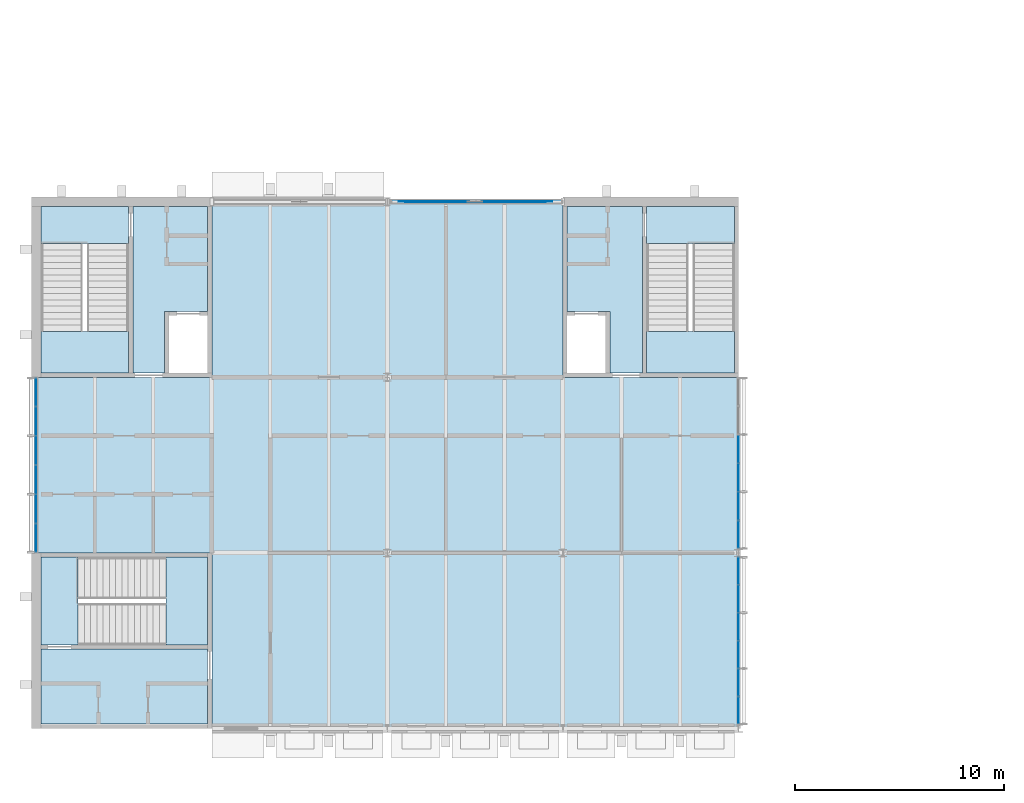
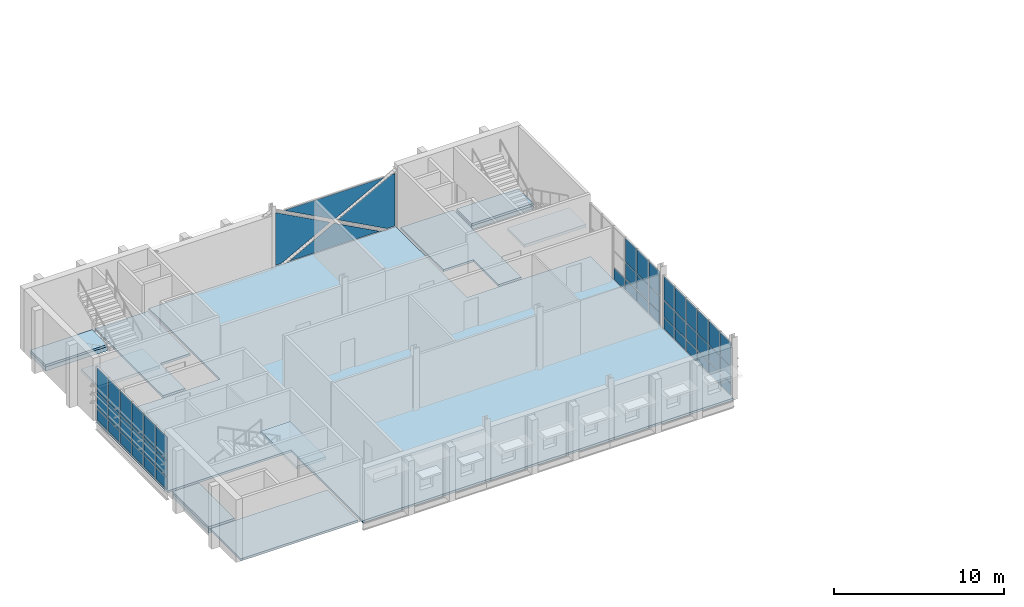
# One storey, part 12 of 22: 50 plates, 13 slabs, 7 elements without a shape of their own.
"""IFC4 building model written with IfcOpenShell, lengths in metres."""

import ifcopenshell
import ifcopenshell.guid

model = None  # the IFC model being written
_history = None  # IfcOwnerHistory: only IFC2X3 demands one
_inside = {}  # id of a spatial element -> (the spatial element, [elements in it])
_under = {}  # id of a project, library or spatial element -> (it, [spatial elements below it])
_declared = {}  # id of a project -> (the project, [libraries it declares])
_typed = {}  # id of a type object -> (the type object, [elements of that type])
_made_of = {}  # id of a material, layer set ... -> (it, [elements and type objects made of it])


def new_model(schema):
    """Start an empty IFC model of exactly this schema.

    Asked for "IFC4X3", IfcOpenShell would pick the latest addendum, in which some entities
    have other attributes; the version numbers below select the first issue.
    IFC2X3 requires an IfcOwnerHistory on every rooted entity: one is made here for all.
    """
    global model, _history
    if schema == "IFC4X3":
        model = ifcopenshell.file(schema_version=(4, 3, 0, 0))
    else:
        model = ifcopenshell.file(schema=schema)
    _inside.clear()
    _under.clear()
    _declared.clear()
    _typed.clear()
    _made_of.clear()
    _history = None
    if model.schema == "IFC2X3":
        org = make("IfcOrganization", Name="unknown")
        user = make(
            "IfcPersonAndOrganization",
            ThePerson=make("IfcPerson", FamilyName="unknown"),
            TheOrganization=org,
        )
        app = make(
            "IfcApplication",
            ApplicationDeveloper=org,
            Version="unknown",
            ApplicationFullName="unknown",
            ApplicationIdentifier="unknown",
        )
        _history = make(
            "IfcOwnerHistory",
            OwningUser=user,
            OwningApplication=app,
            ChangeAction="ADDED",
            CreationDate=0,
        )
    return model


def make(cls, **values):
    """One entity of the class cls with the attributes given. An attribute that is None is left unset."""
    return model.create_entity(
        cls, **{name: value for name, value in values.items() if value is not None}
    )


def rooted(cls, **values):
    """An entity with a GlobalId (a new one), such as an element, a storey or a relation."""
    return make(cls, GlobalId=ifcopenshell.guid.new(), OwnerHistory=_history, **values)


def si_unit(unit_type, name, prefix=None):
    """IfcSIUnit, for example si_unit("LENGTHUNIT", "METRE", prefix="MILLI")."""
    return make("IfcSIUnit", UnitType=unit_type, Prefix=prefix, Name=name)


def assignment(units):
    """IfcUnitAssignment: the units of a project."""
    return None if units is None else make("IfcUnitAssignment", Units=units)


def point(xyz):
    """IfcCartesianPoint."""
    return None if xyz is None else make("IfcCartesianPoint", Coordinates=xyz)


def direction(xyz):
    """IfcDirection."""
    return None if xyz is None else make("IfcDirection", DirectionRatios=xyz)


def frame(location, z_axis=None, x_axis=None):
    """IfcAxis2Placement3D, a coordinate frame: its origin and axes. An axis left out is left unset."""
    return make(
        "IfcAxis2Placement3D",
        Location=point(location),
        Axis=direction(z_axis),
        RefDirection=direction(x_axis),
    )


def frame_2d(location, x_axis=None):
    """IfcAxis2Placement2D, a coordinate frame in the plane: its origin and x axis."""
    return make(
        "IfcAxis2Placement2D", Location=point(location), RefDirection=direction(x_axis)
    )


def origin():
    """The frame at (0, 0, 0) with its axes left unset."""
    return frame((0.0, 0.0, 0.0))


def origin_2d():
    """The frame at (0, 0) in the plane with its x axis left unset."""
    return frame_2d((0.0, 0.0))


def place(relative_to, where):
    """IfcLocalPlacement: puts the frame where relative to a parent placement (None: the world)."""
    return make(
        "IfcLocalPlacement", PlacementRelTo=relative_to, RelativePlacement=where
    )


def context(
    kind, dimensions, precision=None, world=None, true_north=None, identifier=None
):
    """IfcGeometricRepresentationContext, for example the 3D "Model" context."""
    return make(
        "IfcGeometricRepresentationContext",
        ContextIdentifier=identifier,
        ContextType=kind,
        CoordinateSpaceDimension=dimensions,
        Precision=precision,
        WorldCoordinateSystem=world,
        TrueNorth=true_north,
    )


def subcontext(parent, identifier, kind, view, scale=None):
    """IfcGeometricRepresentationSubContext, for example "Body" below "Model"."""
    return make(
        "IfcGeometricRepresentationSubContext",
        ContextIdentifier=identifier,
        ContextType=kind,
        ParentContext=parent,
        TargetScale=scale,
        TargetView=view,
    )


def project(units=None, contexts=None):
    """IfcProject with its units and contexts."""
    return rooted(
        "IfcProject",
        Name="project",
        RepresentationContexts=contexts,
        UnitsInContext=assignment(units),
    )


def spatial(cls, under=None, at=None, **own):
    """A site, building, storey or space (cls), placed at a placement, below another one or the project."""
    s = rooted(cls, ObjectPlacement=at, **own)
    if under is not None:
        _under.setdefault(under.id(), (under, []))[1].append(s)
    return s


def polyline(points):
    """IfcPolyline through the points."""
    return make("IfcPolyline", Points=[point(p) for p in points])


def profile(cls, at=None, kind="AREA", **sizes):
    """A parametric profile (cls). Its sizes go by their IFC names, for example OverallWidth=200.0."""
    return make(cls, ProfileType=kind, Position=at, **sizes)


def rectangle(**sizes):
    """IfcRectangleProfileDef."""
    return profile("IfcRectangleProfileDef", **sizes)


def outline(outer, holes=None, kind="AREA"):
    """IfcArbitraryClosedProfileDef: a profile drawn as a closed curve; with holes, ...WithVoids."""
    if holes is None:
        return make("IfcArbitraryClosedProfileDef", ProfileType=kind, OuterCurve=outer)
    return make(
        "IfcArbitraryProfileDefWithVoids",
        ProfileType=kind,
        OuterCurve=outer,
        InnerCurves=holes,
    )


def extrude(swept, where, along, depth):
    """IfcExtrudedAreaSolid: the profile swept, set in the frame where, extruded along a direction by depth."""
    return make(
        "IfcExtrudedAreaSolid",
        SweptArea=swept,
        Position=where,
        ExtrudedDirection=direction(along),
        Depth=depth,
    )


def shape(context_of_items, identifier, shape_type, items):
    """IfcShapeRepresentation: the items that make up one representation, for example the "Body"."""
    return make(
        "IfcShapeRepresentation",
        ContextOfItems=context_of_items,
        RepresentationIdentifier=identifier,
        RepresentationType=shape_type,
        Items=items,
    )


def material(Name=None, Category=None):
    """IfcMaterial."""
    return make("IfcMaterial", Name=Name, Category=Category)


def layer(
    of_material, thickness, ventilated=None, Name=None, Category=None, Priority=None
):
    """IfcMaterialLayer: one layer of a wall or slab, of a material (None: an air gap)."""
    return make(
        "IfcMaterialLayer",
        Material=of_material,
        LayerThickness=thickness,
        IsVentilated=ventilated,
        Name=Name,
        Category=Category,
        Priority=Priority,
    )


def layer_set(layers, Name=None):
    """IfcMaterialLayerSet."""
    return make("IfcMaterialLayerSet", MaterialLayers=layers, LayerSetName=Name)


def made_of(thing, what):
    """Note that an element or type object is made of a material, layer set ...; save() writes the relation."""
    if what is not None:
        _made_of.setdefault(what.id(), (what, []))[1].append(thing)
    return thing


def type_object(cls, material=None, **own):
    """A type object (cls), such as IfcWallType, which elements share."""
    return made_of(rooted(cls, **own), material)


def element(
    cls,
    number,
    at=None,
    inside=None,
    cuts=None,
    type_object=None,
    material=None,
    context=None,
    identifier="Body",
    shape_type=None,
    held_by="IfcProductDefinitionShape",
    body=None,
    shapes=None,
    **own,
):
    """One element of the class cls, such as IfcWall. Its Tag is "e" and its number.

    at: its placement. inside: the storey or other place that contains it. cuts: it is an
    opening in that element (IfcRelVoidsElement). A single representation is given by context,
    identifier, shape_type and body (its items); several are given by shapes. held_by: the class
    of the entity that holds the representations. save() writes the other relations.
    """
    e = rooted(cls, Tag="e%d" % number, ObjectPlacement=at, **own)
    if body is not None:
        shapes = [shape(context, identifier, shape_type, body)]
    if shapes is not None:
        e.Representation = make(held_by, Representations=shapes)
    if inside is not None:
        _inside.setdefault(inside.id(), (inside, []))[1].append(e)
    if cuts is not None:
        rooted(
            "IfcRelVoidsElement", RelatingBuildingElement=cuts, RelatedOpeningElement=e
        )
    if type_object is not None:
        _typed.setdefault(type_object.id(), (type_object, []))[1].append(e)
    return made_of(e, material)


def aggregate(whole, parts):
    """IfcRelAggregates: a whole, such as a stair, and the parts it consists of."""
    return rooted("IfcRelAggregates", RelatingObject=whole, RelatedObjects=parts)


def save(model, path):
    """Write the relations noted so far, then the file.

    IfcRelAggregates (storeys below a building ...), IfcRelContainedInSpatialStructure (elements
    in a storey), IfcRelDefinesByType, IfcRelAssociatesMaterial and IfcRelDeclares: one each for
    every whole, place, type object, material and project.
    """
    for whole, parts in _under.values():
        aggregate(whole, parts)
    for where, things in _inside.values():
        rooted(
            "IfcRelContainedInSpatialStructure",
            RelatedElements=things,
            RelatingStructure=where,
        )
    for kind, things in _typed.values():
        rooted("IfcRelDefinesByType", RelatedObjects=things, RelatingType=kind)
    for what, things in _made_of.values():
        rooted("IfcRelAssociatesMaterial", RelatedObjects=things, RelatingMaterial=what)
    for by, libraries in _declared.values():
        rooted("IfcRelDeclares", RelatingContext=by, RelatedDefinitions=libraries)
    model.write(path)


model = new_model("IFC4")

# Units and contexts
model_context = context("Model", 3, precision=1e-05, world=origin(), true_north=direction((0.0, 1.0)))
body_context = subcontext(model_context, "Body", "Model", "MODEL_VIEW")
ifc_project = project(units=[si_unit("LENGTHUNIT", "METRE"), si_unit("AREAUNIT", "SQUARE_METRE"), si_unit("VOLUMEUNIT", "CUBIC_METRE"), si_unit("PLANEANGLEUNIT", "RADIAN"), si_unit("MASSUNIT", "GRAM", prefix="KILO")], contexts=[model_context])

# Site, building, storey
site_placement = place(None, origin())
site = spatial("IfcSite", under=ifc_project, at=site_placement, CompositionType="ELEMENT")
building_placement = place(site_placement, origin())
building = spatial("IfcBuilding", under=site, at=building_placement, Name="Ardhachandra Cancer Care Centre", CompositionType="ELEMENT")
storey_placement = place(building_placement, frame((0.0, 0.0, 18.0)))
storey = spatial("IfcBuildingStorey", under=building, at=storey_placement, Name="L04", CompositionType="ELEMENT", Elevation=18.0)

# Slabs
ifc_material_1 = material(Name="Composite slab Concrete M30 on steel deck", Category="concrete")
ifc_layer_1 = layer(ifc_material_1, 0.14990234375)
ifc_layer_set_1 = layer_set([ifc_layer_1], Name="Composite slab Concrete M30 on steel deck")
slab_type_1 = type_object("IfcSlabType", Name="Composite floor slab 150", PredefinedType="FLOOR", material=ifc_layer_set_1)
slab_1_placement = place(storey_placement, frame((0.0, 0.0, -0.14990234375)))
element("IfcSlab", 1, at=slab_1_placement, inside=storey, type_object=slab_type_1, Name="Floor slab V6", PredefinedType="FLOOR", context=body_context, shape_type="SweptSolid", body=[
    extrude(outline(polyline([(44.39990234375, 88.199951171875), (36.0, 88.199951171875), (36.0, 96.60009765625), (19.199951171875, 96.60009765625), (19.199951171875, 88.199951171875), (10.800048828125, 88.199951171875), (10.800048828125, 79.800048828125), (19.199951171875, 79.800048828125), (19.199951171875, 71.39990234375), (44.39990234375, 71.39990234375), (44.39990234375, 88.199951171875)])), origin(), (0.0, 0.0, 1.0), 0.14990234375),
])
ifc_material_2 = material(Name="Concrete M40", Category="concrete")
ifc_layer_2 = layer(ifc_material_2, 0.14990234375)
ifc_layer_set_2 = layer_set([ifc_layer_2], Name="Concrete M40")
slab_type_2 = type_object("IfcSlabType", Name="Core floor slab 150", PredefinedType="FLOOR", material=ifc_layer_set_2)
slab_2_placement = place(storey_placement, frame((0.0, 0.0, -0.14990234375)))
element("IfcSlab", 2, at=slab_2_placement, inside=storey, type_object=slab_type_2, Name="Core floor slab K4 L04 1", PredefinedType="FLOOR", context=body_context, shape_type="SweptSolid", body=[
    extrude(outline(polyline([(11.02490234375, 96.375), (15.22509765625, 96.375), (15.22509765625, 94.60009765625), (11.02490234375, 94.60009765625), (11.02490234375, 96.375)])), origin(), (0.0, 0.0, 1.0), 0.14990234375),
])
slab_3_placement = place(storey_placement, frame((0.0, 0.0, -0.14990234375)))
element("IfcSlab", 3, at=slab_3_placement, inside=storey, type_object=slab_type_2, Name="Core floor slab K4 L04 2", PredefinedType="FLOOR", context=body_context, shape_type="SweptSolid", body=[
    extrude(outline(polyline([(19.0, 96.375), (19.0, 91.35009765625), (17.14990234375, 91.35009765625), (16.949951171875, 91.35009765625), (16.949951171875, 88.39990234375), (15.425048828125, 88.39990234375), (15.425048828125, 96.375), (19.0, 96.375)])), origin(), (0.0, 0.0, 1.0), 0.14990234375),
])
slab_4_placement = place(storey_placement, frame((0.0, 0.0, -0.14990234375)))
element("IfcSlab", 4, at=slab_4_placement, inside=storey, type_object=slab_type_2, Name="Core floor slab K5 L04 1", PredefinedType="FLOOR", context=body_context, shape_type="SweptSolid", body=[
    extrude(outline(polyline([(44.199951171875, 96.375), (40.0, 96.375), (40.0, 94.60009765625), (44.199951171875, 94.60009765625), (44.199951171875, 96.375)])), origin(), (0.0, 0.0, 1.0), 0.14990234375),
])
slab_5_placement = place(storey_placement, frame((0.0, 0.0, -0.14990234375)))
element("IfcSlab", 5, at=slab_5_placement, inside=storey, type_object=slab_type_2, Name="Core floor slab K5 L04 2", PredefinedType="FLOOR", context=body_context, shape_type="SweptSolid", body=[
    extrude(outline(polyline([(36.199951171875, 96.375), (36.199951171875, 91.35009765625), (38.050048828125, 91.35009765625), (38.25, 91.35009765625), (38.25, 88.39990234375), (39.800048828125, 88.39990234375), (39.800048828125, 96.375), (36.199951171875, 96.375)])), origin(), (0.0, 0.0, 1.0), 0.14990234375),
])
slab_6_placement = place(storey_placement, frame((0.0, 0.0, -0.14990234375)))
element("IfcSlab", 6, at=slab_6_placement, inside=storey, type_object=slab_type_2, Name="Core floor slab K6 L04 1", PredefinedType="FLOOR", context=body_context, shape_type="SweptSolid", body=[
    extrude(outline(polyline([(11.02490234375, 79.60009765625), (11.02490234375, 75.39990234375), (12.800048828125, 75.39990234375), (12.800048828125, 79.60009765625), (11.02490234375, 79.60009765625)])), origin(), (0.0, 0.0, 1.0), 0.14990234375),
])
slab_7_placement = place(storey_placement, frame((0.0, 0.0, -0.14990234375)))
element("IfcSlab", 7, at=slab_7_placement, inside=storey, type_object=slab_type_2, Name="Core floor slab K6 L04 2", PredefinedType="FLOOR", context=body_context, shape_type="SweptSolid", body=[
    extrude(outline(polyline([(11.02490234375, 71.60009765625), (19.0, 71.60009765625), (19.0, 75.199951171875), (11.02490234375, 75.199951171875), (11.02490234375, 71.60009765625)])), origin(), (0.0, 0.0, 1.0), 0.14990234375),
])
ifc_material_3 = material(Name="Concrete M40", Category="concrete")
ifc_layer_3 = layer(ifc_material_3, 0.300048828125)
ifc_layer_set_3 = layer_set([ifc_layer_3], Name="Concrete M40")
slab_type_3 = type_object("IfcSlabType", Name="Core stair edge slab 300", PredefinedType="FLOOR", material=ifc_layer_set_3)
slab_8_placement = place(storey_placement, frame((0.0, 0.0, -0.449951171875)))
element("IfcSlab", 8, at=slab_8_placement, inside=storey, type_object=slab_type_3, Name="Core stair edge slab K4 L04", PredefinedType="FLOOR", context=body_context, shape_type="SweptSolid", body=[
    extrude(outline(polyline([(11.02490234375, 94.60009765625), (15.22509765625, 94.60009765625), (15.22509765625, 96.375), (11.02490234375, 96.375), (11.02490234375, 94.60009765625)])), origin(), (0.0, 0.0, 1.0), 0.300048828125),
])
slab_9_placement = place(storey_placement, frame((0.0, 0.0, -0.449951171875)))
element("IfcSlab", 9, at=slab_9_placement, inside=storey, type_object=slab_type_3, Name="Core stair edge slab K5 L04", PredefinedType="FLOOR", context=body_context, shape_type="SweptSolid", body=[
    extrude(outline(polyline([(44.199951171875, 94.60009765625), (40.0, 94.60009765625), (40.0, 96.375), (44.199951171875, 96.375), (44.199951171875, 94.60009765625)])), origin(), (0.0, 0.0, 1.0), 0.300048828125),
])
slab_10_placement = place(storey_placement, frame((0.0, 0.0, -0.449951171875)))
element("IfcSlab", 10, at=slab_10_placement, inside=storey, type_object=slab_type_3, Name="Core stair edge slab K6 L04", PredefinedType="FLOOR", context=body_context, shape_type="SweptSolid", body=[
    extrude(outline(polyline([(12.800048828125, 79.60009765625), (12.800048828125, 75.39990234375), (11.02490234375, 75.39990234375), (11.02490234375, 79.60009765625), (12.800048828125, 79.60009765625)])), origin(), (0.0, 0.0, 1.0), 0.300048828125),
])

# Curtain wall, plates
ifc_material_4 = material(Name="Aluminium extrusion", Category="aluminium")
ifc_layer_4 = layer(ifc_material_4, 0.14990234375)
ifc_layer_set_4 = layer_set([ifc_layer_4], Name="Aluminium extrusion")
curtain_wall_type = type_object("IfcCurtainWallType", Name="Curtain wall run", PredefinedType="NOTDEFINED", material=ifc_layer_set_4)
curtain_wall_1_placement = place(storey_placement, origin())
curtain_wall_1 = element("IfcCurtainWall", 11, at=curtain_wall_1_placement, inside=storey, type_object=curtain_wall_type, Name="Curtain wall L04 e/0044400_0071400", PredefinedType="NOTDEFINED")
ifc_material_5 = material(Name="Low-iron double-glazed unit")
ifc_layer_5 = layer(ifc_material_5, 0.028076171875)
ifc_layer_set_5 = layer_set([ifc_layer_5], Name="Low-iron double-glazed unit")
plate_type_1 = type_object("IfcPlateType", Name="Curtain wall glazing 28", PredefinedType="CURTAIN_PANEL", material=ifc_layer_set_5)
plate_1_placement = place(storey_placement, frame((44.39990234375, 72.268310546875, 0.93017578125), z_axis=(0.0, 0.0, 1.0), x_axis=(0.0, 1.0, 0.0)))
plate_1 = element("IfcPlate", 12, at=plate_1_placement, type_object=plate_type_1, Name="CW panel 1.2", PredefinedType="CURTAIN_PANEL", context=body_context, shape_type="SweptSolid", body=[
    extrude(rectangle(XDim=1.248779296875, YDim=0.028076171875, at=origin_2d()), origin(), (0.0, 0.0, 1.0), 1.139892578125),
])
plate_2_placement = place(storey_placement, frame((44.39990234375, 72.268310546875, 2.1298828125), z_axis=(0.0, 0.0, 1.0), x_axis=(0.0, 1.0, 0.0)))
plate_2 = element("IfcPlate", 13, at=plate_2_placement, type_object=plate_type_1, Name="CW panel 1.3", PredefinedType="CURTAIN_PANEL", context=body_context, shape_type="SweptSolid", body=[
    extrude(rectangle(XDim=1.248779296875, YDim=0.028076171875, at=origin_2d()), origin(), (0.0, 0.0, 1.0), 1.696044921875),
])
plate_3_placement = place(storey_placement, frame((44.39990234375, 73.592041015625, 0.93017578125), z_axis=(0.0, 0.0, 1.0), x_axis=(0.0, 1.0, 0.0)))
plate_3 = element("IfcPlate", 14, at=plate_3_placement, type_object=plate_type_1, Name="CW panel 2.2", PredefinedType="CURTAIN_PANEL", context=body_context, shape_type="SweptSolid", body=[
    extrude(rectangle(XDim=1.278564453125, YDim=0.028076171875, at=origin_2d()), origin(), (0.0, 0.0, 1.0), 1.139892578125),
])
plate_4_placement = place(storey_placement, frame((44.39990234375, 73.592041015625, 2.1298828125), z_axis=(0.0, 0.0, 1.0), x_axis=(0.0, 1.0, 0.0)))
plate_4 = element("IfcPlate", 15, at=plate_4_placement, type_object=plate_type_1, Name="CW panel 2.3", PredefinedType="CURTAIN_PANEL", context=body_context, shape_type="SweptSolid", body=[
    extrude(rectangle(XDim=1.278564453125, YDim=0.028076171875, at=origin_2d()), origin(), (0.0, 0.0, 1.0), 1.696044921875),
])
plate_5_placement = place(storey_placement, frame((44.39990234375, 74.9306640625, 0.93017578125), z_axis=(0.0, 0.0, 1.0), x_axis=(0.0, 1.0, 0.0)))
plate_5 = element("IfcPlate", 16, at=plate_5_placement, type_object=plate_type_1, Name="CW panel 3.2", PredefinedType="CURTAIN_PANEL", context=body_context, shape_type="SweptSolid", body=[
    extrude(rectangle(XDim=1.278564453125, YDim=0.028076171875, at=origin_2d()), origin(), (0.0, 0.0, 1.0), 1.139892578125),
])
plate_6_placement = place(storey_placement, frame((44.39990234375, 74.9306640625, 2.1298828125), z_axis=(0.0, 0.0, 1.0), x_axis=(0.0, 1.0, 0.0)))
plate_6 = element("IfcPlate", 17, at=plate_6_placement, type_object=plate_type_1, Name="CW panel 3.3", PredefinedType="CURTAIN_PANEL", context=body_context, shape_type="SweptSolid", body=[
    extrude(rectangle(XDim=1.278564453125, YDim=0.028076171875, at=origin_2d()), origin(), (0.0, 0.0, 1.0), 1.696044921875),
])
plate_7_placement = place(storey_placement, frame((44.39990234375, 76.269287109375, 0.93017578125), z_axis=(0.0, 0.0, 1.0), x_axis=(0.0, 1.0, 0.0)))
plate_7 = element("IfcPlate", 18, at=plate_7_placement, type_object=plate_type_1, Name="CW panel 4.2", PredefinedType="CURTAIN_PANEL", context=body_context, shape_type="SweptSolid", body=[
    extrude(rectangle(XDim=1.278564453125, YDim=0.028076171875, at=origin_2d()), origin(), (0.0, 0.0, 1.0), 1.139892578125),
])
plate_8_placement = place(storey_placement, frame((44.39990234375, 76.269287109375, 2.1298828125), z_axis=(0.0, 0.0, 1.0), x_axis=(0.0, 1.0, 0.0)))
plate_8 = element("IfcPlate", 19, at=plate_8_placement, type_object=plate_type_1, Name="CW panel 4.3", PredefinedType="CURTAIN_PANEL", context=body_context, shape_type="SweptSolid", body=[
    extrude(rectangle(XDim=1.278564453125, YDim=0.028076171875, at=origin_2d()), origin(), (0.0, 0.0, 1.0), 1.696044921875),
])
plate_9_placement = place(storey_placement, frame((44.39990234375, 77.60791015625, 0.93017578125), z_axis=(0.0, 0.0, 1.0), x_axis=(0.0, 1.0, 0.0)))
plate_9 = element("IfcPlate", 20, at=plate_9_placement, type_object=plate_type_1, Name="CW panel 5.2", PredefinedType="CURTAIN_PANEL", context=body_context, shape_type="SweptSolid", body=[
    extrude(rectangle(XDim=1.278564453125, YDim=0.028076171875, at=origin_2d()), origin(), (0.0, 0.0, 1.0), 1.139892578125),
])
plate_10_placement = place(storey_placement, frame((44.39990234375, 77.60791015625, 2.1298828125), z_axis=(0.0, 0.0, 1.0), x_axis=(0.0, 1.0, 0.0)))
plate_10 = element("IfcPlate", 21, at=plate_10_placement, type_object=plate_type_1, Name="CW panel 5.3", PredefinedType="CURTAIN_PANEL", context=body_context, shape_type="SweptSolid", body=[
    extrude(rectangle(XDim=1.278564453125, YDim=0.028076171875, at=origin_2d()), origin(), (0.0, 0.0, 1.0), 1.696044921875),
])
plate_11_placement = place(storey_placement, frame((44.39990234375, 78.931640625, 0.93017578125), z_axis=(0.0, 0.0, 1.0), x_axis=(0.0, 1.0, 0.0)))
plate_11 = element("IfcPlate", 22, at=plate_11_placement, type_object=plate_type_1, Name="CW panel 6.2", PredefinedType="CURTAIN_PANEL", context=body_context, shape_type="SweptSolid", body=[
    extrude(rectangle(XDim=1.248779296875, YDim=0.028076171875, at=origin_2d()), origin(), (0.0, 0.0, 1.0), 1.139892578125),
])
plate_12_placement = place(storey_placement, frame((44.39990234375, 78.931640625, 2.1298828125), z_axis=(0.0, 0.0, 1.0), x_axis=(0.0, 1.0, 0.0)))
plate_12 = element("IfcPlate", 23, at=plate_12_placement, type_object=plate_type_1, Name="CW panel 6.3", PredefinedType="CURTAIN_PANEL", context=body_context, shape_type="SweptSolid", body=[
    extrude(rectangle(XDim=1.248779296875, YDim=0.028076171875, at=origin_2d()), origin(), (0.0, 0.0, 1.0), 1.696044921875),
])

curtain_wall_2_placement = place(storey_placement, origin())
curtain_wall_2 = element("IfcCurtainWall", 24, at=curtain_wall_2_placement, inside=storey, type_object=curtain_wall_type, Name="Curtain wall L04 n/0027600_0096600", PredefinedType="NOTDEFINED")
plate_13_placement = place(storey_placement, frame((35.93994140625, 96.60009765625, 3.825927734375), z_axis=(0.0, 1.0, 0.0), x_axis=(0.0, 0.0, -1.0)))
plate_13 = element("IfcPlate", 25, at=plate_13_placement, type_object=plate_type_1, Name="CW panel 1.1", PredefinedType="CURTAIN_PANEL", context=body_context, shape_type="SweptSolid", body=[
    extrude(outline(polyline([(0.0, 0.0), (3.765869140625, 0.0), (3.765869140625, 0.534912109375), (1.967041015625, 3.879638671875), (0.0, 0.22265625), (0.0, 0.0)])), origin(), (0.0, 0.0, 1.0), 0.028076171875),
])
plate_14_placement = place(storey_placement, frame((35.197021484375, 96.60009765625, 3.825927734375), z_axis=(0.0, 1.0, 0.0), x_axis=(-0.880712849131, 0.0, -0.473650585744)))
plate_14 = element("IfcPlate", 26, at=plate_14_placement, type_object=plate_type_1, Name="CW panel 1.1", PredefinedType="CURTAIN_PANEL", context=body_context, shape_type="SweptSolid", body=[
    extrude(outline(polyline([(0.0, 0.0), (3.857177734375, 0.0), (5.9833984375, 3.218017578125), (0.0, 0.0)])), frame((0.0, 0.0, -0.028076171875)), (0.0, 0.0, 1.0), 0.028076171875),
])
plate_15_placement = place(storey_placement, frame((27.81005859375, 96.60009765625, 0.06005859375), z_axis=(0.0, 1.0, 0.0), x_axis=(0.0, 0.0, 1.0)))
plate_15 = element("IfcPlate", 27, at=plate_15_placement, type_object=plate_type_1, Name="CW panel 1.1", PredefinedType="CURTAIN_PANEL", context=body_context, shape_type="SweptSolid", body=[
    extrude(outline(polyline([(0.0, 0.0), (3.765869140625, 0.0), (3.765869140625, 0.07275390625), (1.798828125, 3.729736328125), (0.0, 0.385009765625), (0.0, 0.0)])), origin(), (0.0, 0.0, 1.0), 0.028076171875),
])
plate_16_placement = place(storey_placement, frame((28.71533203125, 96.60009765625, 0.06005859375), z_axis=(0.0, 1.0, 0.0), x_axis=(0.880717185398, 0.0, 0.473642522737)))
plate_16 = element("IfcPlate", 28, at=plate_16_placement, type_object=plate_type_1, Name="CW panel 1.1", PredefinedType="CURTAIN_PANEL", context=body_context, shape_type="SweptSolid", body=[
    extrude(outline(polyline([(0.0, 0.0), (3.50244140625, 0.0), (5.433349609375, 2.921875), (0.0, 0.0)])), frame((0.0, 0.0, -0.028076171875)), (0.0, 0.0, 1.0), 0.028076171875),
])
aggregate(curtain_wall_2, [plate_13, plate_14, plate_15, plate_16])

curtain_wall_3_placement = place(storey_placement, origin())
curtain_wall_3 = element("IfcCurtainWall", 29, at=curtain_wall_3_placement, inside=storey, type_object=curtain_wall_type, Name="Curtain wall L04 w/0010800_0079800", PredefinedType="NOTDEFINED")
plate_17_placement = place(storey_placement, frame((10.800048828125, 86.10009765625, 0.93017578125), z_axis=(0.0, 0.0, 1.0), x_axis=(0.0, 1.0, 0.0)))
plate_17 = element("IfcPlate", 30, at=plate_17_placement, type_object=plate_type_1, Name="CW panel 5.2", PredefinedType="CURTAIN_PANEL", context=body_context, shape_type="SweptSolid", body=[
    extrude(rectangle(XDim=1.340087890625, YDim=0.028076171875, at=origin_2d()), origin(), (0.0, 0.0, 1.0), 1.139892578125),
])
plate_18_placement = place(storey_placement, frame((10.800048828125, 86.10009765625, 2.1298828125), z_axis=(0.0, 0.0, 1.0), x_axis=(0.0, 1.0, 0.0)))
plate_18 = element("IfcPlate", 31, at=plate_18_placement, type_object=plate_type_1, Name="CW panel 5.3", PredefinedType="CURTAIN_PANEL", context=body_context, shape_type="SweptSolid", body=[
    extrude(rectangle(XDim=1.340087890625, YDim=0.028076171875, at=origin_2d()), origin(), (0.0, 0.0, 1.0), 1.696044921875),
])
plate_19_placement = place(storey_placement, frame((10.800048828125, 87.485107421875, 0.93017578125), z_axis=(0.0, 0.0, 1.0), x_axis=(0.0, 1.0, 0.0)))
plate_19 = element("IfcPlate", 32, at=plate_19_placement, type_object=plate_type_1, Name="CW panel 6.2", PredefinedType="CURTAIN_PANEL", context=body_context, shape_type="SweptSolid", body=[
    extrude(rectangle(XDim=1.31005859375, YDim=0.028076171875, at=origin_2d()), origin(), (0.0, 0.0, 1.0), 1.139892578125),
])
plate_20_placement = place(storey_placement, frame((10.800048828125, 87.485107421875, 2.1298828125), z_axis=(0.0, 0.0, 1.0), x_axis=(0.0, 1.0, 0.0)))
plate_20 = element("IfcPlate", 33, at=plate_20_placement, type_object=plate_type_1, Name="CW panel 6.3", PredefinedType="CURTAIN_PANEL", context=body_context, shape_type="SweptSolid", body=[
    extrude(rectangle(XDim=1.31005859375, YDim=0.028076171875, at=origin_2d()), origin(), (0.0, 0.0, 1.0), 1.696044921875),
])

# Plate
ifc_material_6 = material(Name="Aluminium composite spandrel panel", Category="aluminium")
ifc_layer_6 = layer(ifc_material_6, 0.028076171875)
ifc_layer_set_6 = layer_set([ifc_layer_6], Name="Aluminium composite spandrel panel")
plate_type_2 = type_object("IfcPlateType", Name="Curtain wall spandrel panel 28", PredefinedType="CURTAIN_PANEL", material=ifc_layer_set_6)
plate_21_placement = place(storey_placement, frame((44.39990234375, 72.268310546875, 0.06005859375), z_axis=(0.0, 0.0, 1.0), x_axis=(0.0, 1.0, 0.0)))
plate_21 = element("IfcPlate", 34, at=plate_21_placement, type_object=plate_type_2, Name="CW panel 1.1", PredefinedType="CURTAIN_PANEL", context=body_context, shape_type="SweptSolid", body=[
    extrude(rectangle(XDim=1.248779296875, YDim=0.028076171875, at=origin_2d()), origin(), (0.0, 0.0, 1.0), 0.81005859375),
])

plate_22_placement = place(storey_placement, frame((44.39990234375, 73.592041015625, 0.06005859375), z_axis=(0.0, 0.0, 1.0), x_axis=(0.0, 1.0, 0.0)))
plate_22 = element("IfcPlate", 35, at=plate_22_placement, type_object=plate_type_2, Name="CW panel 2.1", PredefinedType="CURTAIN_PANEL", context=body_context, shape_type="SweptSolid", body=[
    extrude(rectangle(XDim=1.278564453125, YDim=0.028076171875, at=origin_2d()), origin(), (0.0, 0.0, 1.0), 0.81005859375),
])

plate_23_placement = place(storey_placement, frame((44.39990234375, 74.9306640625, 0.06005859375), z_axis=(0.0, 0.0, 1.0), x_axis=(0.0, 1.0, 0.0)))
plate_23 = element("IfcPlate", 36, at=plate_23_placement, type_object=plate_type_2, Name="CW panel 3.1", PredefinedType="CURTAIN_PANEL", context=body_context, shape_type="SweptSolid", body=[
    extrude(rectangle(XDim=1.278564453125, YDim=0.028076171875, at=origin_2d()), origin(), (0.0, 0.0, 1.0), 0.81005859375),
])

plate_24_placement = place(storey_placement, frame((44.39990234375, 76.269287109375, 0.06005859375), z_axis=(0.0, 0.0, 1.0), x_axis=(0.0, 1.0, 0.0)))
plate_24 = element("IfcPlate", 37, at=plate_24_placement, type_object=plate_type_2, Name="CW panel 4.1", PredefinedType="CURTAIN_PANEL", context=body_context, shape_type="SweptSolid", body=[
    extrude(rectangle(XDim=1.278564453125, YDim=0.028076171875, at=origin_2d()), origin(), (0.0, 0.0, 1.0), 0.81005859375),
])

plate_25_placement = place(storey_placement, frame((44.39990234375, 77.60791015625, 0.06005859375), z_axis=(0.0, 0.0, 1.0), x_axis=(0.0, 1.0, 0.0)))
plate_25 = element("IfcPlate", 38, at=plate_25_placement, type_object=plate_type_2, Name="CW panel 5.1", PredefinedType="CURTAIN_PANEL", context=body_context, shape_type="SweptSolid", body=[
    extrude(rectangle(XDim=1.278564453125, YDim=0.028076171875, at=origin_2d()), origin(), (0.0, 0.0, 1.0), 0.81005859375),
])

plate_26_placement = place(storey_placement, frame((44.39990234375, 78.931640625, 0.06005859375), z_axis=(0.0, 0.0, 1.0), x_axis=(0.0, 1.0, 0.0)))
plate_26 = element("IfcPlate", 39, at=plate_26_placement, type_object=plate_type_2, Name="CW panel 6.1", PredefinedType="CURTAIN_PANEL", context=body_context, shape_type="SweptSolid", body=[
    extrude(rectangle(XDim=1.248779296875, YDim=0.028076171875, at=origin_2d()), origin(), (0.0, 0.0, 1.0), 0.81005859375),
])

aggregate(curtain_wall_1, [plate_21, plate_1, plate_2, plate_22, plate_3, plate_4, plate_23, plate_5, plate_6, plate_24, plate_7, plate_8, plate_25, plate_9, plate_10, plate_26, plate_11, plate_12])

# Curtain wall, plates
curtain_wall_4_placement = place(storey_placement, origin())
curtain_wall_4 = element("IfcCurtainWall", 40, at=curtain_wall_4_placement, inside=storey, type_object=curtain_wall_type, Name="Curtain wall L04 e/0044400_0079800", PredefinedType="NOTDEFINED")
plate_27_placement = place(storey_placement, frame((44.39990234375, 80.68359375, 0.06005859375), z_axis=(0.0, 0.0, 1.0), x_axis=(0.0, 1.0, 0.0)))
plate_27 = element("IfcPlate", 41, at=plate_27_placement, type_object=plate_type_2, Name="CW panel 1.1", PredefinedType="CURTAIN_PANEL", context=body_context, shape_type="SweptSolid", body=[
    extrude(rectangle(XDim=1.279296875, YDim=0.028076171875, at=origin_2d()), origin(), (0.0, 0.0, 1.0), 0.81005859375),
])
plate_28_placement = place(storey_placement, frame((44.39990234375, 80.68359375, 0.93017578125), z_axis=(0.0, 0.0, 1.0), x_axis=(0.0, 1.0, 0.0)))
plate_28 = element("IfcPlate", 42, at=plate_28_placement, type_object=plate_type_2, Name="CW panel 1.2", PredefinedType="CURTAIN_PANEL", context=body_context, shape_type="SweptSolid", body=[
    extrude(rectangle(XDim=1.279296875, YDim=0.028076171875, at=origin_2d()), origin(), (0.0, 0.0, 1.0), 1.139892578125),
])
plate_29_placement = place(storey_placement, frame((44.39990234375, 80.68359375, 2.1298828125), z_axis=(0.0, 0.0, 1.0), x_axis=(0.0, 1.0, 0.0)))
plate_29 = element("IfcPlate", 43, at=plate_29_placement, type_object=plate_type_2, Name="CW panel 1.3", PredefinedType="CURTAIN_PANEL", context=body_context, shape_type="SweptSolid", body=[
    extrude(rectangle(XDim=1.279296875, YDim=0.028076171875, at=origin_2d()), origin(), (0.0, 0.0, 1.0), 1.696044921875),
])
plate_30_placement = place(storey_placement, frame((44.39990234375, 82.0380859375, 0.06005859375), z_axis=(0.0, 0.0, 1.0), x_axis=(0.0, 1.0, 0.0)))
plate_30 = element("IfcPlate", 44, at=plate_30_placement, type_object=plate_type_2, Name="CW panel 2.1", PredefinedType="CURTAIN_PANEL", context=body_context, shape_type="SweptSolid", body=[
    extrude(rectangle(XDim=1.309326171875, YDim=0.028076171875, at=origin_2d()), origin(), (0.0, 0.0, 1.0), 0.81005859375),
])
plate_31_placement = place(storey_placement, frame((44.39990234375, 82.0380859375, 0.93017578125), z_axis=(0.0, 0.0, 1.0), x_axis=(0.0, 1.0, 0.0)))
plate_31 = element("IfcPlate", 45, at=plate_31_placement, type_object=plate_type_2, Name="CW panel 2.2", PredefinedType="CURTAIN_PANEL", context=body_context, shape_type="SweptSolid", body=[
    extrude(rectangle(XDim=1.309326171875, YDim=0.028076171875, at=origin_2d()), origin(), (0.0, 0.0, 1.0), 1.139892578125),
])
plate_32_placement = place(storey_placement, frame((44.39990234375, 82.0380859375, 2.1298828125), z_axis=(0.0, 0.0, 1.0), x_axis=(0.0, 1.0, 0.0)))
plate_32 = element("IfcPlate", 46, at=plate_32_placement, type_object=plate_type_2, Name="CW panel 2.3", PredefinedType="CURTAIN_PANEL", context=body_context, shape_type="SweptSolid", body=[
    extrude(rectangle(XDim=1.309326171875, YDim=0.028076171875, at=origin_2d()), origin(), (0.0, 0.0, 1.0), 1.696044921875),
])
plate_33_placement = place(storey_placement, frame((44.39990234375, 83.4072265625, 0.06005859375), z_axis=(0.0, 0.0, 1.0), x_axis=(0.0, 1.0, 0.0)))
plate_33 = element("IfcPlate", 47, at=plate_33_placement, type_object=plate_type_2, Name="CW panel 3.1", PredefinedType="CURTAIN_PANEL", context=body_context, shape_type="SweptSolid", body=[
    extrude(rectangle(XDim=1.309326171875, YDim=0.028076171875, at=origin_2d()), origin(), (0.0, 0.0, 1.0), 0.81005859375),
])
plate_34_placement = place(storey_placement, frame((44.39990234375, 83.4072265625, 0.93017578125), z_axis=(0.0, 0.0, 1.0), x_axis=(0.0, 1.0, 0.0)))
plate_34 = element("IfcPlate", 48, at=plate_34_placement, type_object=plate_type_2, Name="CW panel 3.2", PredefinedType="CURTAIN_PANEL", context=body_context, shape_type="SweptSolid", body=[
    extrude(rectangle(XDim=1.309326171875, YDim=0.028076171875, at=origin_2d()), origin(), (0.0, 0.0, 1.0), 1.139892578125),
])
plate_35_placement = place(storey_placement, frame((44.39990234375, 83.4072265625, 2.1298828125), z_axis=(0.0, 0.0, 1.0), x_axis=(0.0, 1.0, 0.0)))
plate_35 = element("IfcPlate", 49, at=plate_35_placement, type_object=plate_type_2, Name="CW panel 3.3", PredefinedType="CURTAIN_PANEL", context=body_context, shape_type="SweptSolid", body=[
    extrude(rectangle(XDim=1.309326171875, YDim=0.028076171875, at=origin_2d()), origin(), (0.0, 0.0, 1.0), 1.696044921875),
])
plate_36_placement = place(storey_placement, frame((44.39990234375, 84.776611328125, 0.06005859375), z_axis=(0.0, 0.0, 1.0), x_axis=(0.0, 1.0, 0.0)))
plate_36 = element("IfcPlate", 50, at=plate_36_placement, type_object=plate_type_2, Name="CW panel 4.1", PredefinedType="CURTAIN_PANEL", context=body_context, shape_type="SweptSolid", body=[
    extrude(rectangle(XDim=1.309326171875, YDim=0.028076171875, at=origin_2d()), origin(), (0.0, 0.0, 1.0), 0.81005859375),
])
aggregate(curtain_wall_4, [plate_27, plate_28, plate_29, plate_30, plate_31, plate_32, plate_33, plate_34, plate_35, plate_36])

# Plate
plate_37_placement = place(storey_placement, frame((10.800048828125, 80.514892578125, 0.06005859375), z_axis=(0.0, 0.0, 1.0), x_axis=(0.0, 1.0, 0.0)))
plate_37 = element("IfcPlate", 51, at=plate_37_placement, type_object=plate_type_2, Name="CW panel 1.1", PredefinedType="CURTAIN_PANEL", context=body_context, shape_type="SweptSolid", body=[
    extrude(rectangle(XDim=1.31005859375, YDim=0.028076171875, at=origin_2d()), origin(), (0.0, 0.0, 1.0), 0.81005859375),
])

plate_38_placement = place(storey_placement, frame((10.800048828125, 80.514892578125, 0.93017578125), z_axis=(0.0, 0.0, 1.0), x_axis=(0.0, 1.0, 0.0)))
plate_38 = element("IfcPlate", 52, at=plate_38_placement, type_object=plate_type_2, Name="CW panel 1.2", PredefinedType="CURTAIN_PANEL", context=body_context, shape_type="SweptSolid", body=[
    extrude(rectangle(XDim=1.31005859375, YDim=0.028076171875, at=origin_2d()), origin(), (0.0, 0.0, 1.0), 1.139892578125),
])

plate_39_placement = place(storey_placement, frame((10.800048828125, 80.514892578125, 2.1298828125), z_axis=(0.0, 0.0, 1.0), x_axis=(0.0, 1.0, 0.0)))
plate_39 = element("IfcPlate", 53, at=plate_39_placement, type_object=plate_type_2, Name="CW panel 1.3", PredefinedType="CURTAIN_PANEL", context=body_context, shape_type="SweptSolid", body=[
    extrude(rectangle(XDim=1.31005859375, YDim=0.028076171875, at=origin_2d()), origin(), (0.0, 0.0, 1.0), 1.696044921875),
])

plate_40_placement = place(storey_placement, frame((10.800048828125, 81.89990234375, 0.06005859375), z_axis=(0.0, 0.0, 1.0), x_axis=(0.0, 1.0, 0.0)))
plate_40 = element("IfcPlate", 54, at=plate_40_placement, type_object=plate_type_2, Name="CW panel 2.1", PredefinedType="CURTAIN_PANEL", context=body_context, shape_type="SweptSolid", body=[
    extrude(rectangle(XDim=1.340087890625, YDim=0.028076171875, at=origin_2d()), origin(), (0.0, 0.0, 1.0), 0.81005859375),
])

plate_41_placement = place(storey_placement, frame((10.800048828125, 81.89990234375, 0.93017578125), z_axis=(0.0, 0.0, 1.0), x_axis=(0.0, 1.0, 0.0)))
plate_41 = element("IfcPlate", 55, at=plate_41_placement, type_object=plate_type_2, Name="CW panel 2.2", PredefinedType="CURTAIN_PANEL", context=body_context, shape_type="SweptSolid", body=[
    extrude(rectangle(XDim=1.340087890625, YDim=0.028076171875, at=origin_2d()), origin(), (0.0, 0.0, 1.0), 1.139892578125),
])

plate_42_placement = place(storey_placement, frame((10.800048828125, 81.89990234375, 2.1298828125), z_axis=(0.0, 0.0, 1.0), x_axis=(0.0, 1.0, 0.0)))
plate_42 = element("IfcPlate", 56, at=plate_42_placement, type_object=plate_type_2, Name="CW panel 2.3", PredefinedType="CURTAIN_PANEL", context=body_context, shape_type="SweptSolid", body=[
    extrude(rectangle(XDim=1.340087890625, YDim=0.028076171875, at=origin_2d()), origin(), (0.0, 0.0, 1.0), 1.696044921875),
])

plate_43_placement = place(storey_placement, frame((10.800048828125, 83.300048828125, 0.06005859375), z_axis=(0.0, 0.0, 1.0), x_axis=(0.0, 1.0, 0.0)))
plate_43 = element("IfcPlate", 57, at=plate_43_placement, type_object=plate_type_2, Name="CW panel 3.1", PredefinedType="CURTAIN_PANEL", context=body_context, shape_type="SweptSolid", body=[
    extrude(rectangle(XDim=1.340087890625, YDim=0.028076171875, at=origin_2d()), origin(), (0.0, 0.0, 1.0), 0.81005859375),
])

plate_44_placement = place(storey_placement, frame((10.800048828125, 83.300048828125, 0.93017578125), z_axis=(0.0, 0.0, 1.0), x_axis=(0.0, 1.0, 0.0)))
plate_44 = element("IfcPlate", 58, at=plate_44_placement, type_object=plate_type_2, Name="CW panel 3.2", PredefinedType="CURTAIN_PANEL", context=body_context, shape_type="SweptSolid", body=[
    extrude(rectangle(XDim=1.340087890625, YDim=0.028076171875, at=origin_2d()), origin(), (0.0, 0.0, 1.0), 1.139892578125),
])

plate_45_placement = place(storey_placement, frame((10.800048828125, 83.300048828125, 2.1298828125), z_axis=(0.0, 0.0, 1.0), x_axis=(0.0, 1.0, 0.0)))
plate_45 = element("IfcPlate", 59, at=plate_45_placement, type_object=plate_type_2, Name="CW panel 3.3", PredefinedType="CURTAIN_PANEL", context=body_context, shape_type="SweptSolid", body=[
    extrude(rectangle(XDim=1.340087890625, YDim=0.028076171875, at=origin_2d()), origin(), (0.0, 0.0, 1.0), 1.696044921875),
])

plate_46_placement = place(storey_placement, frame((10.800048828125, 84.699951171875, 0.06005859375), z_axis=(0.0, 0.0, 1.0), x_axis=(0.0, 1.0, 0.0)))
plate_46 = element("IfcPlate", 60, at=plate_46_placement, type_object=plate_type_2, Name="CW panel 4.1", PredefinedType="CURTAIN_PANEL", context=body_context, shape_type="SweptSolid", body=[
    extrude(rectangle(XDim=1.340087890625, YDim=0.028076171875, at=origin_2d()), origin(), (0.0, 0.0, 1.0), 0.81005859375),
])

plate_47_placement = place(storey_placement, frame((10.800048828125, 84.699951171875, 0.93017578125), z_axis=(0.0, 0.0, 1.0), x_axis=(0.0, 1.0, 0.0)))
plate_47 = element("IfcPlate", 61, at=plate_47_placement, type_object=plate_type_2, Name="CW panel 4.2", PredefinedType="CURTAIN_PANEL", context=body_context, shape_type="SweptSolid", body=[
    extrude(rectangle(XDim=1.340087890625, YDim=0.028076171875, at=origin_2d()), origin(), (0.0, 0.0, 1.0), 1.139892578125),
])

plate_48_placement = place(storey_placement, frame((10.800048828125, 84.699951171875, 2.1298828125), z_axis=(0.0, 0.0, 1.0), x_axis=(0.0, 1.0, 0.0)))
plate_48 = element("IfcPlate", 62, at=plate_48_placement, type_object=plate_type_2, Name="CW panel 4.3", PredefinedType="CURTAIN_PANEL", context=body_context, shape_type="SweptSolid", body=[
    extrude(rectangle(XDim=1.340087890625, YDim=0.028076171875, at=origin_2d()), origin(), (0.0, 0.0, 1.0), 1.696044921875),
])

plate_49_placement = place(storey_placement, frame((10.800048828125, 86.10009765625, 0.06005859375), z_axis=(0.0, 0.0, 1.0), x_axis=(0.0, 1.0, 0.0)))
plate_49 = element("IfcPlate", 63, at=plate_49_placement, type_object=plate_type_2, Name="CW panel 5.1", PredefinedType="CURTAIN_PANEL", context=body_context, shape_type="SweptSolid", body=[
    extrude(rectangle(XDim=1.340087890625, YDim=0.028076171875, at=origin_2d()), origin(), (0.0, 0.0, 1.0), 0.81005859375),
])

plate_50_placement = place(storey_placement, frame((10.800048828125, 87.485107421875, 0.06005859375), z_axis=(0.0, 0.0, 1.0), x_axis=(0.0, 1.0, 0.0)))
plate_50 = element("IfcPlate", 64, at=plate_50_placement, type_object=plate_type_2, Name="CW panel 6.1", PredefinedType="CURTAIN_PANEL", context=body_context, shape_type="SweptSolid", body=[
    extrude(rectangle(XDim=1.31005859375, YDim=0.028076171875, at=origin_2d()), origin(), (0.0, 0.0, 1.0), 0.81005859375),
])

aggregate(curtain_wall_3, [plate_37, plate_38, plate_39, plate_40, plate_41, plate_42, plate_43, plate_44, plate_45, plate_46, plate_47, plate_48, plate_49, plate_17, plate_18, plate_50, plate_19, plate_20])

# Stair, slab
ifc_material_7 = material(Name="Concrete M40", Category="concrete")
stair_type = type_object("IfcStairType", Name="Dog-leg stair 2000", PredefinedType="HALF_TURN_STAIR", material=ifc_material_7)
stair_1_placement = place(storey_placement, origin())
stair_1 = element("IfcStair", 65, at=stair_1_placement, inside=storey, type_object=stair_type, Name="Stair K4 L04-L05", PredefinedType="HALF_TURN_STAIR")
ifc_material_8 = material(Name="Concrete M40", Category="concrete")
ifc_layer_7 = layer(ifc_material_8, 0.199951171875)
ifc_layer_set_7 = layer_set([ifc_layer_7], Name="Concrete M40")
slab_type_4 = type_object("IfcSlabType", Name="Stair landing 200", PredefinedType="LANDING", material=ifc_layer_set_7)
slab_11_placement = place(storey_placement, frame((0.0, 0.0, 2.050048828125)))
slab_11 = element("IfcSlab", 66, at=slab_11_placement, type_object=slab_type_4, Name="stair K4 L04-L05 landing 1", PredefinedType="LANDING", context=body_context, shape_type="SweptSolid", body=[
    extrude(outline(polyline([(11.02490234375, 88.39990234375), (15.22509765625, 88.39990234375), (15.22509765625, 90.39990234375), (11.02490234375, 90.39990234375), (11.02490234375, 88.39990234375)])), origin(), (0.0, 0.0, 1.0), 0.199951171875),
])
aggregate(stair_1, [slab_11])

stair_2_placement = place(storey_placement, origin())
stair_2 = element("IfcStair", 67, at=stair_2_placement, inside=storey, type_object=stair_type, Name="Stair K5 L04-L05", PredefinedType="HALF_TURN_STAIR")
slab_12_placement = place(storey_placement, frame((0.0, 0.0, 2.050048828125)))
slab_12 = element("IfcSlab", 68, at=slab_12_placement, type_object=slab_type_4, Name="stair K5 L04-L05 landing 1", PredefinedType="LANDING", context=body_context, shape_type="SweptSolid", body=[
    extrude(outline(polyline([(40.0, 88.39990234375), (44.199951171875, 88.39990234375), (44.199951171875, 90.39990234375), (40.0, 90.39990234375), (40.0, 88.39990234375)])), origin(), (0.0, 0.0, 1.0), 0.199951171875),
])
aggregate(stair_2, [slab_12])

stair_3_placement = place(storey_placement, origin())
stair_3 = element("IfcStair", 69, at=stair_3_placement, inside=storey, type_object=stair_type, Name="Stair K6 L04-L05", PredefinedType="HALF_TURN_STAIR")
slab_13_placement = place(storey_placement, frame((0.0, 0.0, 2.050048828125)))
slab_13 = element("IfcSlab", 70, at=slab_13_placement, type_object=slab_type_4, Name="stair K6 L04-L05 landing 1", PredefinedType="LANDING", context=body_context, shape_type="SweptSolid", body=[
    extrude(outline(polyline([(17.0, 75.39990234375), (19.0, 75.39990234375), (19.0, 79.60009765625), (17.0, 79.60009765625), (17.0, 75.39990234375)])), origin(), (0.0, 0.0, 1.0), 0.199951171875),
])
aggregate(stair_3, [slab_13])

save(model, "model.ifc")
